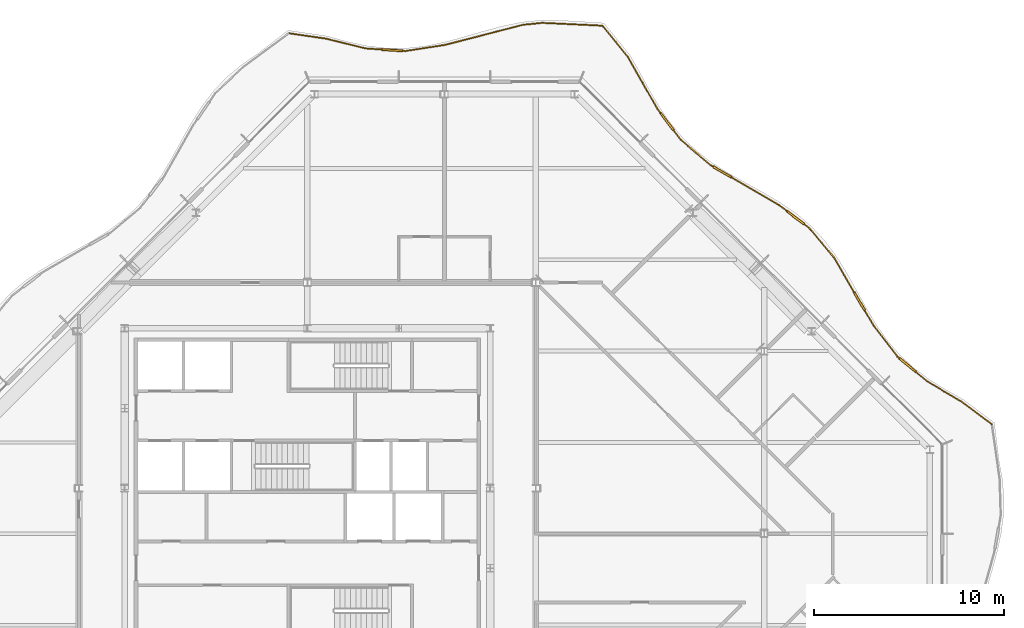
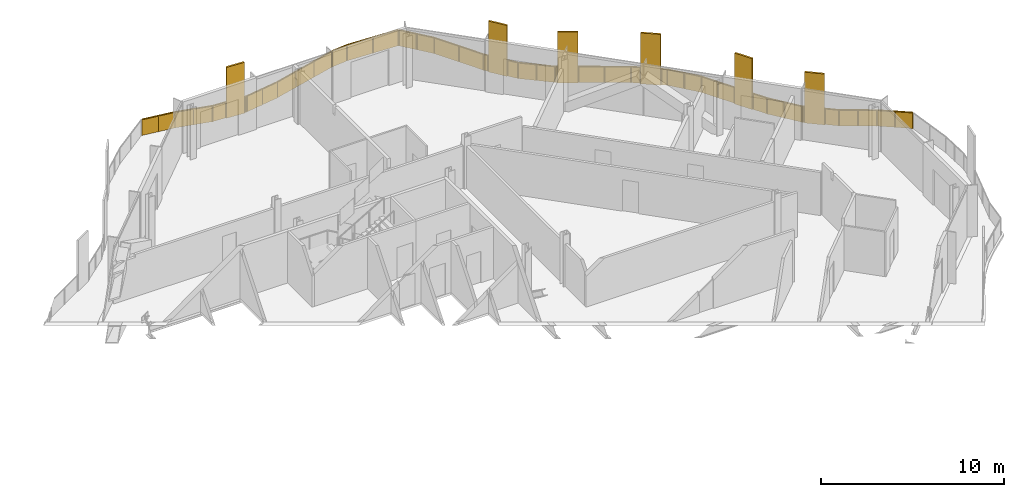
# One storey, part 16 of 16: 2 railings.
"""IFC4 building model written with IfcOpenShell, lengths in metres."""

from ifc_helpers import new_model, si_unit, direction, frame, origin, origin_2d, place, context, subcontext, project, spatial, polyline, rectangle, outline, extrude, material, type_object, element, save


model = new_model("IFC4")

# Units and contexts
model_context = context("Model", 3, precision=1e-05, world=origin(), true_north=direction((0.0, 1.0)))
body_context = subcontext(model_context, "Body", "Model", "MODEL_VIEW")
ifc_project = project(units=[si_unit("LENGTHUNIT", "METRE"), si_unit("AREAUNIT", "SQUARE_METRE"), si_unit("VOLUMEUNIT", "CUBIC_METRE"), si_unit("PLANEANGLEUNIT", "RADIAN"), si_unit("MASSUNIT", "GRAM", prefix="KILO")], contexts=[model_context])

# Site, building, storey
site_placement = place(None, origin())
site = spatial("IfcSite", under=ifc_project, at=site_placement, CompositionType="ELEMENT")
building_placement = place(site_placement, origin())
building = spatial("IfcBuilding", under=site, at=building_placement, Name="Cairn Pilgrim Tower", CompositionType="ELEMENT")
storey_placement = place(building_placement, frame((0.0, 0.0, 288.60009765625)))
storey = spatial("IfcBuildingStorey", under=building, at=storey_placement, Name="L74", CompositionType="ELEMENT", Elevation=288.60009765625)

# Railings
ifc_material = material(Name="Bronze anodised aluminium rail, posts and fin screens with laminated glass infill", Category="aluminium")
railing_type = type_object("IfcRailingType", Name="BALCONY GUARD WITH FIN SCREENS", PredefinedType="GUARDRAIL", material=ifc_material)
railing_1_placement = place(storey_placement, frame((43.155029296875, 5.750732421875, 0.0)))
element("IfcRailing", 1, at=railing_1_placement, inside=storey, type_object=railing_type, Name="Balcony guard BGF-4 with fin screens", PredefinedType="GUARDRAIL", context=body_context, shape_type="SweptSolid", body=[
    extrude(rectangle(XDim=0.050048828125, YDim=0.050048828125, at=origin_2d()), frame((0.0, 0.0, 1.0751953125), z_axis=(-0.800073631677, 0.599901811879, 0.0), x_axis=(-0.599901811879, -0.800073631677, 0.0)), (0.0, 0.0, 1.0), 1.9892578125),
    extrude(rectangle(XDim=0.050048828125, YDim=0.050048828125, at=origin_2d()), frame((-1.591552734375, 1.193359375, 1.0751953125), z_axis=(-0.861064306674, 0.508496076458, 0.0), x_axis=(-0.508496076458, -0.861064306674, 0.0)), (0.0, 0.0, 1.0), 2.080810546875),
    extrude(rectangle(XDim=1.10009765625, YDim=0.110107421875, at=origin_2d()), frame((-4.41943359375, 3.1142578125, 0.0), z_axis=(0.0, 0.0, 1.0), x_axis=(-0.768485018551, 0.639867780298, 0.0)), (0.0, 0.0, 1.0), 3.39990234375),
    extrude(rectangle(XDim=0.050048828125, YDim=0.050048828125, at=origin_2d()), frame((-3.38330078125, 2.25146484375, 1.0751953125), z_axis=(-0.768485018551, 0.639867780298, 0.0), x_axis=(-0.639867780298, -0.768485018551, 0.0)), (0.0, 0.0, 1.0), 0.79833984375),
    extrude(rectangle(XDim=0.050048828125, YDim=0.050048828125, at=origin_2d()), frame((-4.842041015625, 3.466064453125, 1.0751953125), z_axis=(-0.768485018551, 0.639867780298, 0.0), x_axis=(-0.639867780298, -0.768485018551, 0.0)), (0.0, 0.0, 1.0), 0.14990234375),
    extrude(rectangle(XDim=0.050048828125, YDim=0.050048828125, at=origin_2d()), frame((-4.957275390625, 3.56201171875, 1.0751953125), z_axis=(-0.610858799859, 0.791739557326, 0.0), x_axis=(-0.791739557326, -0.610858799859, 0.0)), (0.0, 0.0, 1.0), 2.05419921875),
    extrude(rectangle(XDim=1.10009765625, YDim=0.110107421875, at=origin_2d()), frame((-6.9541015625, 6.462890625, 0.0), z_axis=(0.0, 0.0, 1.0), x_axis=(-0.503155199555, 0.864196068703, 0.0)), (0.0, 0.0, 1.0), 3.39990234375),
    extrude(rectangle(XDim=0.050048828125, YDim=0.050048828125, at=origin_2d()), frame((-6.212158203125, 5.1884765625, 1.0751953125), z_axis=(-0.503155199555, 0.864196068703, 0.0), x_axis=(-0.864196068703, -0.503155199555, 0.0)), (0.0, 0.0, 1.0), 0.924560546875),
    extrude(rectangle(XDim=0.050048828125, YDim=0.050048828125, at=origin_2d()), frame((-7.230712890625, 6.93798828125, 1.0751953125), z_axis=(-0.503155199555, 0.864196068703, 0.0), x_axis=(-0.864196068703, -0.503155199555, 0.0)), (0.0, 0.0, 1.0), 2.1328125),
    extrude(rectangle(XDim=0.050048828125, YDim=0.050048828125, at=origin_2d()), frame((-8.303955078125, 8.78125, 1.0751953125), z_axis=(-0.643678355932, 0.765296134908, 0.0), x_axis=(-0.765296134908, -0.643678355932, 0.0)), (0.0, 0.0, 1.0), 1.9892578125),
    extrude(rectangle(XDim=1.10009765625, YDim=0.110107421875, at=origin_2d()), frame((-10.30859375, 10.857421875, 0.0), z_axis=(0.0, 0.0, 1.0), x_axis=(-0.794423549092, 0.607364161478, 0.0)), (0.0, 0.0, 1.0), 3.39990234375),
    extrude(rectangle(XDim=0.050048828125, YDim=0.050048828125, at=origin_2d()), frame((-9.58447265625, 10.3037109375, 1.0751953125), z_axis=(-0.794423549092, 0.607364161478, 0.0), x_axis=(-0.607364161478, -0.794423549092, 0.0)), (0.0, 0.0, 1.0), 0.361572265625),
    extrude(rectangle(XDim=0.050048828125, YDim=0.050048828125, at=origin_2d()), frame((-10.74560546875, 11.19140625, 1.0751953125), z_axis=(-0.794423549092, 0.607364161478, 0.0), x_axis=(-0.607364161478, -0.794423549092, 0.0)), (0.0, 0.0, 1.0), 0.541748046875),
    extrude(rectangle(XDim=1.10009765625, YDim=0.110107421875, at=origin_2d()), frame((-14.168701171875, 13.2646484375, 0.0), z_axis=(0.0, 0.0, 1.0), x_axis=(-0.863968108447, 0.503546529714, 0.0)), (0.0, 0.0, 1.0), 3.39990234375),
    extrude(rectangle(XDim=0.050048828125, YDim=0.050048828125, at=origin_2d()), frame((-11.176025390625, 11.5205078125, 1.0751953125), z_axis=(-0.863968108447, 0.503546529714, 0.0), x_axis=(-0.503546529714, -0.863968108447, 0.0)), (0.0, 0.0, 1.0), 2.913818359375),
    extrude(rectangle(XDim=0.050048828125, YDim=0.050048828125, at=origin_2d()), frame((-14.643798828125, 13.541748046875, 1.0751953125), z_axis=(-0.863968108447, 0.503546529714, 0.0), x_axis=(-0.503546529714, -0.863968108447, 0.0)), (0.0, 0.0, 1.0), 0.14990234375),
    extrude(rectangle(XDim=0.050048828125, YDim=0.050048828125, at=origin_2d()), frame((-14.7734375, 13.6171875, 1.0751953125), z_axis=(-0.762236360411, 0.647298795663, 0.0), x_axis=(-0.647298795663, -0.762236360411, 0.0)), (0.0, 0.0, 1.0), 2.047607421875),
    extrude(rectangle(XDim=1.10009765625, YDim=0.110107421875, at=origin_2d()), frame((-17.060546875, 15.9013671875, 0.0), z_axis=(0.0, 0.0, 1.0), x_axis=(-0.603848546204, 0.797099073671, 0.0)), (0.0, 0.0, 1.0), 3.39990234375),
    extrude(rectangle(XDim=0.050048828125, YDim=0.050048828125, at=origin_2d()), frame((-16.334228515625, 14.942626953125, 1.0751953125), z_axis=(-0.603848546204, 0.797099073671, 0.0), x_axis=(-0.797099073671, -0.603848546204, 0.0)), (0.0, 0.0, 1.0), 0.65283203125),
    extrude(rectangle(XDim=0.050048828125, YDim=0.050048828125, at=origin_2d()), frame((-17.392578125, 16.33984375, 1.0751953125), z_axis=(-0.603848546204, 0.797099073671, 0.0), x_axis=(-0.797099073671, -0.603848546204, 0.0)), (0.0, 0.0, 1.0), 0.303955078125),
    extrude(rectangle(XDim=0.050048828125, YDim=0.050048828125, at=origin_2d()), frame((-17.576171875, 16.58203125, 1.0751953125), z_axis=(-0.492975153926, 0.87004338835, 0.0), x_axis=(-0.87004338835, -0.492975153926, 0.0)), (0.0, 0.0, 1.0), 3.1279296875),
    extrude(rectangle(XDim=0.050048828125, YDim=0.050048828125, at=origin_2d()), frame((-19.1181640625, 19.303466796875, 1.0751953125), z_axis=(-0.63138447304, 0.775469952483, 0.0), x_axis=(-0.775469952483, -0.63138447304, 0.0)), (0.0, 0.0, 1.0), 2.0537109375),
    extrude(rectangle(XDim=0.050048828125, YDim=0.050048828125, at=origin_2d()), origin(), (0.0, 0.0, 1.0), 1.050048828125),
    extrude(rectangle(XDim=0.050048828125, YDim=0.050048828125, at=origin_2d()), frame((-0.7958984375, 0.5966796875, 0.0)), (0.0, 0.0, 1.0), 1.050048828125),
    extrude(rectangle(XDim=0.050048828125, YDim=0.050048828125, at=origin_2d()), frame((-1.591552734375, 1.193359375, 0.0)), (0.0, 0.0, 1.0), 1.050048828125),
    extrude(rectangle(XDim=0.050048828125, YDim=0.050048828125, at=origin_2d()), frame((-2.4873046875, 1.722412109375, 0.0)), (0.0, 0.0, 1.0), 1.050048828125),
    extrude(rectangle(XDim=0.050048828125, YDim=0.050048828125, at=origin_2d()), frame((-3.38330078125, 2.25146484375, 0.0)), (0.0, 0.0, 1.0), 1.050048828125),
    extrude(rectangle(XDim=0.050048828125, YDim=0.050048828125, at=origin_2d()), frame((-3.9775390625, 2.746337890625, 0.0)), (0.0, 0.0, 1.0), 1.050048828125),
    extrude(rectangle(XDim=0.050048828125, YDim=0.050048828125, at=origin_2d()), frame((-4.861328125, 3.482177734375, 0.0)), (0.0, 0.0, 1.0), 1.050048828125),
    extrude(rectangle(XDim=0.050048828125, YDim=0.050048828125, at=origin_2d()), frame((-4.957275390625, 3.56201171875, 0.0)), (0.0, 0.0, 1.0), 1.050048828125),
    extrude(rectangle(XDim=0.050048828125, YDim=0.050048828125, at=origin_2d()), frame((-5.584716796875, 4.375244140625, 0.0)), (0.0, 0.0, 1.0), 1.050048828125),
    extrude(rectangle(XDim=0.050048828125, YDim=0.050048828125, at=origin_2d()), frame((-6.212158203125, 5.1884765625, 0.0)), (0.0, 0.0, 1.0), 1.050048828125),
    extrude(rectangle(XDim=0.050048828125, YDim=0.050048828125, at=origin_2d()), frame((-6.664794921875, 5.9658203125, 0.0)), (0.0, 0.0, 1.0), 1.050048828125),
    extrude(rectangle(XDim=0.050048828125, YDim=0.050048828125, at=origin_2d()), frame((-7.243408203125, 6.959716796875, 0.0)), (0.0, 0.0, 1.0), 1.050048828125),
    extrude(rectangle(XDim=0.050048828125, YDim=0.050048828125, at=origin_2d()), frame((-7.773681640625, 7.870361328125, 0.0)), (0.0, 0.0, 1.0), 1.050048828125),
    extrude(rectangle(XDim=0.050048828125, YDim=0.050048828125, at=origin_2d()), frame((-8.303955078125, 8.78125, 0.0)), (0.0, 0.0, 1.0), 1.050048828125),
    extrude(rectangle(XDim=0.050048828125, YDim=0.050048828125, at=origin_2d()), frame((-8.9443359375, 9.54248046875, 0.0)), (0.0, 0.0, 1.0), 1.050048828125),
    extrude(rectangle(XDim=0.050048828125, YDim=0.050048828125, at=origin_2d()), frame((-9.58447265625, 10.3037109375, 0.0)), (0.0, 0.0, 1.0), 1.050048828125),
    extrude(rectangle(XDim=0.050048828125, YDim=0.050048828125, at=origin_2d()), frame((-9.851806640625, 10.508056640625, 0.0)), (0.0, 0.0, 1.0), 1.050048828125),
    extrude(rectangle(XDim=0.050048828125, YDim=0.050048828125, at=origin_2d()), frame((-10.765380859375, 11.20654296875, 0.0)), (0.0, 0.0, 1.0), 1.050048828125),
    extrude(rectangle(XDim=0.050048828125, YDim=0.050048828125, at=origin_2d()), frame((-11.176025390625, 11.5205078125, 0.0)), (0.0, 0.0, 1.0), 1.050048828125),
    extrude(rectangle(XDim=0.050048828125, YDim=0.050048828125, at=origin_2d()), frame((-12.424072265625, 12.247802734375, 0.0)), (0.0, 0.0, 1.0), 1.050048828125),
    extrude(rectangle(XDim=0.050048828125, YDim=0.050048828125, at=origin_2d()), frame((-13.671875, 12.97509765625, 0.0)), (0.0, 0.0, 1.0), 1.050048828125),
    extrude(rectangle(XDim=0.050048828125, YDim=0.050048828125, at=origin_2d()), frame((-14.66552734375, 13.55419921875, 0.0)), (0.0, 0.0, 1.0), 1.050048828125),
    extrude(rectangle(XDim=0.050048828125, YDim=0.050048828125, at=origin_2d()), frame((-14.7734375, 13.6171875, 0.0)), (0.0, 0.0, 1.0), 1.050048828125),
    extrude(rectangle(XDim=0.050048828125, YDim=0.050048828125, at=origin_2d()), frame((-15.5537109375, 14.27978515625, 0.0)), (0.0, 0.0, 1.0), 1.050048828125),
    extrude(rectangle(XDim=0.050048828125, YDim=0.050048828125, at=origin_2d()), frame((-16.334228515625, 14.942626953125, 0.0)), (0.0, 0.0, 1.0), 1.050048828125),
    extrude(rectangle(XDim=0.050048828125, YDim=0.050048828125, at=origin_2d()), frame((-16.71337890625, 15.44287109375, 0.0)), (0.0, 0.0, 1.0), 1.050048828125),
    extrude(rectangle(XDim=0.050048828125, YDim=0.050048828125, at=origin_2d()), frame((-17.40771484375, 16.359619140625, 0.0)), (0.0, 0.0, 1.0), 1.050048828125),
    extrude(rectangle(XDim=0.050048828125, YDim=0.050048828125, at=origin_2d()), frame((-17.576171875, 16.58203125, 0.0)), (0.0, 0.0, 1.0), 1.050048828125),
    extrude(rectangle(XDim=0.050048828125, YDim=0.050048828125, at=origin_2d()), frame((-18.34716796875, 17.94287109375, 0.0)), (0.0, 0.0, 1.0), 1.050048828125),
    extrude(rectangle(XDim=0.050048828125, YDim=0.050048828125, at=origin_2d()), frame((-19.1181640625, 19.303466796875, 0.0)), (0.0, 0.0, 1.0), 1.050048828125),
    extrude(rectangle(XDim=0.050048828125, YDim=0.050048828125, at=origin_2d()), frame((-19.7666015625, 20.099609375, 0.0)), (0.0, 0.0, 1.0), 1.050048828125),
    extrude(rectangle(XDim=0.050048828125, YDim=0.050048828125, at=origin_2d()), frame((-20.414794921875, 20.89599609375, 0.0)), (0.0, 0.0, 1.0), 1.050048828125),
    extrude(outline(polyline([(0.02490234375, 0.0), (0.9697265625, 0.0), (0.9697265625, 1.050048828125), (0.02490234375, 1.050048828125), (0.02490234375, 0.0)])), frame((-0.003662109375, -0.0048828125, 0.0), z_axis=(0.599901811879, 0.800073631677, 0.0), x_axis=(-0.800073631677, 0.599901811879, 0.0)), (0.0, 0.0, 1.0), 0.011962890625),
    extrude(outline(polyline([(0.02490234375, 0.0), (0.9697265625, 0.0), (0.9697265625, 1.050048828125), (0.02490234375, 1.050048828125), (0.02490234375, 0.0)])), frame((-0.79931640625, 0.591796875, 0.0), z_axis=(0.599901811879, 0.800073631677, 0.0), x_axis=(-0.800073631677, 0.599901811879, 0.0)), (0.0, 0.0, 1.0), 0.011962890625),
    extrude(outline(polyline([(0.02490234375, 0.0), (1.015380859375, 0.0), (1.015380859375, 1.050048828125), (0.02490234375, 1.050048828125), (0.02490234375, 0.0)])), frame((-1.594482421875, 1.188232421875, 0.0), z_axis=(0.508496076458, 0.861064306674, 0.0), x_axis=(-0.861064306674, 0.508496076458, 0.0)), (0.0, 0.0, 1.0), 0.011962890625),
    extrude(outline(polyline([(0.02490234375, 0.0), (1.015380859375, 0.0), (1.015380859375, 1.050048828125), (0.02490234375, 1.050048828125), (0.02490234375, 0.0)])), frame((-2.490478515625, 1.71728515625, 0.0), z_axis=(0.508496076458, 0.861064306674, 0.0), x_axis=(-0.861064306674, 0.508496076458, 0.0)), (0.0, 0.0, 1.0), 0.011962890625),
    extrude(outline(polyline([(0.02490234375, 0.0), (0.748291015625, 0.0), (0.748291015625, 1.050048828125), (0.02490234375, 1.050048828125), (0.02490234375, 0.0)])), frame((-3.38720703125, 2.246826171875, 0.0), z_axis=(0.639867780298, 0.768485018551, 0.0), x_axis=(-0.768485018551, 0.639867780298, 0.0)), (0.0, 0.0, 1.0), 0.011962890625),
    extrude(outline(polyline([(0.02490234375, 0.0), (0.099853515625, 0.0), (0.099853515625, 1.050048828125), (0.02490234375, 1.050048828125), (0.02490234375, 0.0)])), frame((-4.865234375, 3.4775390625, 0.0), z_axis=(0.639867780298, 0.768485018551, 0.0), x_axis=(-0.768485018551, 0.639867780298, 0.0)), (0.0, 0.0, 1.0), 0.011962890625),
    extrude(outline(polyline([(0.02490234375, 0.0), (1.002197265625, 0.0), (1.002197265625, 1.050048828125), (0.02490234375, 1.050048828125), (0.02490234375, 0.0)])), frame((-4.9619140625, 3.558349609375, 0.0), z_axis=(0.791739557326, 0.610858799859, 0.0), x_axis=(-0.610858799859, 0.791739557326, 0.0)), (0.0, 0.0, 1.0), 0.011962890625),
    extrude(outline(polyline([(0.02490234375, 0.0), (1.002197265625, 0.0), (1.002197265625, 1.050048828125), (0.02490234375, 1.050048828125), (0.02490234375, 0.0)])), frame((-5.58935546875, 4.37158203125, 0.0), z_axis=(0.791739557326, 0.610858799859, 0.0), x_axis=(-0.610858799859, 0.791739557326, 0.0)), (0.0, 0.0, 1.0), 0.011962890625),
    extrude(outline(polyline([(0.02490234375, 0.0), (0.87451171875, 0.0), (0.87451171875, 1.050048828125), (0.02490234375, 1.050048828125), (0.02490234375, 0.0)])), frame((-6.21728515625, 5.185546875, 0.0), z_axis=(0.864196068703, 0.503155199555, 0.0), x_axis=(-0.503155199555, 0.864196068703, 0.0)), (0.0, 0.0, 1.0), 0.011962890625),
    extrude(outline(polyline([(0.02490234375, 0.0), (1.02880859375, 0.0), (1.02880859375, 1.050048828125), (0.02490234375, 1.050048828125), (0.02490234375, 0.0)])), frame((-7.24853515625, 6.956787109375, 0.0), z_axis=(0.864196068703, 0.503155199555, 0.0), x_axis=(-0.503155199555, 0.864196068703, 0.0)), (0.0, 0.0, 1.0), 0.011962890625),
    extrude(outline(polyline([(0.02490234375, 0.0), (1.02880859375, 0.0), (1.02880859375, 1.050048828125), (0.02490234375, 1.050048828125), (0.02490234375, 0.0)])), frame((-7.77880859375, 7.867431640625, 0.0), z_axis=(0.864196068703, 0.503155199555, 0.0), x_axis=(-0.503155199555, 0.864196068703, 0.0)), (0.0, 0.0, 1.0), 0.011962890625),
    extrude(outline(polyline([(0.02490234375, 0.0), (0.9697265625, 0.0), (0.9697265625, 1.050048828125), (0.02490234375, 1.050048828125), (0.02490234375, 0.0)])), frame((-8.30859375, 8.77734375, 0.0), z_axis=(0.765296134908, 0.643678355932, 0.0), x_axis=(-0.643678355932, 0.765296134908, 0.0)), (0.0, 0.0, 1.0), 0.011962890625),
    extrude(outline(polyline([(0.02490234375, 0.0), (0.9697265625, 0.0), (0.9697265625, 1.050048828125), (0.02490234375, 1.050048828125), (0.02490234375, 0.0)])), frame((-8.94873046875, 9.53857421875, 0.0), z_axis=(0.765296134908, 0.643678355932, 0.0), x_axis=(-0.643678355932, 0.765296134908, 0.0)), (0.0, 0.0, 1.0), 0.011962890625),
    extrude(outline(polyline([(0.02490234375, 0.0), (0.3115234375, 0.0), (0.3115234375, 1.050048828125), (0.02490234375, 1.050048828125), (0.02490234375, 0.0)])), frame((-9.588134765625, 10.299072265625, 0.0), z_axis=(0.607364161478, 0.794423549092, 0.0), x_axis=(-0.794423549092, 0.607364161478, 0.0)), (0.0, 0.0, 1.0), 0.011962890625),
    extrude(outline(polyline([(0.02490234375, 0.0), (0.49169921875, 0.0), (0.49169921875, 1.050048828125), (0.02490234375, 1.050048828125), (0.02490234375, 0.0)])), frame((-10.76904296875, 11.201904296875, 0.0), z_axis=(0.607364161478, 0.794423549092, 0.0), x_axis=(-0.794423549092, 0.607364161478, 0.0)), (0.0, 0.0, 1.0), 0.011962890625),
    extrude(outline(polyline([(0.02490234375, 0.0), (1.41943359375, 0.0), (1.41943359375, 1.050048828125), (0.02490234375, 1.050048828125), (0.02490234375, 0.0)])), frame((-11.178955078125, 11.515380859375, 0.0), z_axis=(0.503546529714, 0.863968108447, 0.0), x_axis=(-0.863968108447, 0.503546529714, 0.0)), (0.0, 0.0, 1.0), 0.011962890625),
    extrude(outline(polyline([(0.02490234375, 0.0), (1.41943359375, 0.0), (1.41943359375, 1.050048828125), (0.02490234375, 1.050048828125), (0.02490234375, 0.0)])), frame((-12.427001953125, 12.24267578125, 0.0), z_axis=(0.503546529714, 0.863968108447, 0.0), x_axis=(-0.863968108447, 0.503546529714, 0.0)), (0.0, 0.0, 1.0), 0.011962890625),
    extrude(outline(polyline([(0.02490234375, 0.0), (0.099853515625, 0.0), (0.099853515625, 1.050048828125), (0.02490234375, 1.050048828125), (0.02490234375, 0.0)])), frame((-14.66845703125, 13.549072265625, 0.0), z_axis=(0.503546529714, 0.863968108447, 0.0), x_axis=(-0.863968108447, 0.503546529714, 0.0)), (0.0, 0.0, 1.0), 0.011962890625),
    extrude(outline(polyline([(0.02490234375, 0.0), (0.998779296875, 0.0), (0.998779296875, 1.050048828125), (0.02490234375, 1.050048828125), (0.02490234375, 0.0)])), frame((-14.77734375, 13.612548828125, 0.0), z_axis=(0.647298795663, 0.762236360411, 0.0), x_axis=(-0.762236360411, 0.647298795663, 0.0)), (0.0, 0.0, 1.0), 0.011962890625),
    extrude(outline(polyline([(0.02490234375, 0.0), (0.998779296875, 0.0), (0.998779296875, 1.050048828125), (0.02490234375, 1.050048828125), (0.02490234375, 0.0)])), frame((-15.5576171875, 14.275390625, 0.0), z_axis=(0.647298795663, 0.762236360411, 0.0), x_axis=(-0.762236360411, 0.647298795663, 0.0)), (0.0, 0.0, 1.0), 0.011962890625),
    extrude(outline(polyline([(0.02490234375, 0.0), (0.602783203125, 0.0), (0.602783203125, 1.050048828125), (0.02490234375, 1.050048828125), (0.02490234375, 0.0)])), frame((-16.339111328125, 14.93896484375, 0.0), z_axis=(0.797099073671, 0.603848546204, 0.0), x_axis=(-0.603848546204, 0.797099073671, 0.0)), (0.0, 0.0, 1.0), 0.011962890625),
    extrude(outline(polyline([(0.02490234375, 0.0), (0.25390625, 0.0), (0.25390625, 1.050048828125), (0.02490234375, 1.050048828125), (0.02490234375, 0.0)])), frame((-17.41259765625, 16.35595703125, 0.0), z_axis=(0.797099073671, 0.603848546204, 0.0), x_axis=(-0.603848546204, 0.797099073671, 0.0)), (0.0, 0.0, 1.0), 0.011962890625),
    extrude(outline(polyline([(0.02490234375, 0.0), (1.5390625, 0.0), (1.5390625, 1.050048828125), (0.02490234375, 1.050048828125), (0.02490234375, 0.0)])), frame((-17.581298828125, 16.5791015625, 0.0), z_axis=(0.87004338835, 0.492975153926, 0.0), x_axis=(-0.492975153926, 0.87004338835, 0.0)), (0.0, 0.0, 1.0), 0.011962890625),
    extrude(outline(polyline([(0.02490234375, 0.0), (1.5390625, 0.0), (1.5390625, 1.050048828125), (0.02490234375, 1.050048828125), (0.02490234375, 0.0)])), frame((-18.352294921875, 17.939697265625, 0.0), z_axis=(0.87004338835, 0.492975153926, 0.0), x_axis=(-0.492975153926, 0.87004338835, 0.0)), (0.0, 0.0, 1.0), 0.011962890625),
    extrude(outline(polyline([(0.02490234375, 0.0), (1.001708984375, 0.0), (1.001708984375, 1.050048828125), (0.02490234375, 1.050048828125), (0.02490234375, 0.0)])), frame((-19.122802734375, 19.2998046875, 0.0), z_axis=(0.775469952483, 0.63138447304, 0.0), x_axis=(-0.63138447304, 0.775469952483, 0.0)), (0.0, 0.0, 1.0), 0.011962890625),
    extrude(outline(polyline([(0.02490234375, 0.0), (1.001708984375, 0.0), (1.001708984375, 1.050048828125), (0.02490234375, 1.050048828125), (0.02490234375, 0.0)])), frame((-19.77099609375, 20.095947265625, 0.0), z_axis=(0.775469952483, 0.63138447304, 0.0), x_axis=(-0.63138447304, 0.775469952483, 0.0)), (0.0, 0.0, 1.0), 0.011962890625),
])
railing_2_placement = place(storey_placement, frame((22.702392578125, 26.693359375, 0.0)))
element("IfcRailing", 2, at=railing_2_placement, inside=storey, type_object=railing_type, Name="Balcony guard BGF-5 with fin screens", PredefinedType="GUARDRAIL", context=body_context, shape_type="SweptSolid", body=[
    extrude(rectangle(XDim=0.050048828125, YDim=0.050048828125, at=origin_2d()), frame((0.0, 0.0, 1.0751953125), z_axis=(-0.998891963674, 0.047062138781, 0.0), x_axis=(-0.047062138781, -0.998891963674, 0.0)), (0.0, 0.0, 1.0), 3.1591796875),
    extrude(rectangle(XDim=0.050048828125, YDim=0.050048828125, at=origin_2d()), frame((-3.15576171875, 0.148681640625, 1.0751953125), z_axis=(-0.995158380871, -0.098284266201, 0.0), x_axis=(0.098284266201, -0.995158380871, 0.0)), (0.0, 0.0, 1.0), 1.010986328125),
    extrude(rectangle(XDim=0.050048828125, YDim=0.050048828125, at=origin_2d()), frame((-4.161865234375, 0.04931640625, 1.0751953125), z_axis=(-0.968437409465, -0.249256863393, 0.0), x_axis=(0.249256863393, -0.968437409465, 0.0)), (0.0, 0.0, 1.0), 4.244140625),
    extrude(rectangle(XDim=0.050048828125, YDim=0.050048828125, at=origin_2d()), frame((-8.27197265625, -1.008544921875, 1.0751953125), z_axis=(-0.988060059223, -0.15406920318, 0.0), x_axis=(0.15406920318, -0.988060059223, 0.0)), (0.0, 0.0, 1.0), 2.10595703125),
    extrude(rectangle(XDim=1.10009765625, YDim=0.110107421875, at=origin_2d()), frame((-11.05126953125, -1.286865234375, 0.0), z_axis=(0.0, 0.0, 1.0), x_axis=(-0.997830378321, 0.06583719389, 0.0)), (0.0, 0.0, 1.0), 3.39990234375),
    extrude(rectangle(XDim=0.050048828125, YDim=0.050048828125, at=origin_2d()), frame((-10.352783203125, -1.3330078125, 1.0751953125), z_axis=(-0.997830378321, 0.06583719389, 0.0), x_axis=(-0.06583719389, -0.997830378321, 0.0)), (0.0, 0.0, 1.0), 0.14990234375),
    extrude(rectangle(XDim=0.050048828125, YDim=0.050048828125, at=origin_2d()), frame((-11.60009765625, -1.250732421875, 1.0751953125), z_axis=(-0.997830378321, 0.06583719389, 0.0), x_axis=(-0.06583719389, -0.997830378321, 0.0)), (0.0, 0.0, 1.0), 0.84130859375),
    extrude(rectangle(XDim=0.050048828125, YDim=0.050048828125, at=origin_2d()), frame((-12.439697265625, -1.1953125, 1.0751953125), z_axis=(-0.970801176953, 0.239885545264, 0.0), x_axis=(-0.239885545264, -0.970801176953, 0.0)), (0.0, 0.0, 1.0), 2.125),
    extrude(rectangle(XDim=0.050048828125, YDim=0.050048828125, at=origin_2d()), frame((-14.502685546875, -0.685546875, 1.0751953125), z_axis=(-0.989416119923, 0.145105966919, 0.0), x_axis=(-0.145105966919, -0.989416119923, 0.0)), (0.0, 0.0, 1.0), 1.938232421875),
    extrude(rectangle(XDim=0.050048828125, YDim=0.050048828125, at=origin_2d()), origin(), (0.0, 0.0, 1.0), 1.050048828125),
    extrude(rectangle(XDim=0.050048828125, YDim=0.050048828125, at=origin_2d()), frame((-1.577880859375, 0.07421875, 0.0)), (0.0, 0.0, 1.0), 1.050048828125),
    extrude(rectangle(XDim=0.050048828125, YDim=0.050048828125, at=origin_2d()), frame((-3.15576171875, 0.148681640625, 0.0)), (0.0, 0.0, 1.0), 1.050048828125),
    extrude(rectangle(XDim=0.050048828125, YDim=0.050048828125, at=origin_2d()), frame((-4.161865234375, 0.04931640625, 0.0)), (0.0, 0.0, 1.0), 1.050048828125),
    extrude(rectangle(XDim=0.050048828125, YDim=0.050048828125, at=origin_2d()), frame((-5.531982421875, -0.30322265625, 0.0)), (0.0, 0.0, 1.0), 1.050048828125),
    extrude(rectangle(XDim=0.050048828125, YDim=0.050048828125, at=origin_2d()), frame((-6.90185546875, -0.656005859375, 0.0)), (0.0, 0.0, 1.0), 1.050048828125),
    extrude(rectangle(XDim=0.050048828125, YDim=0.050048828125, at=origin_2d()), frame((-8.27197265625, -1.008544921875, 0.0)), (0.0, 0.0, 1.0), 1.050048828125),
    extrude(rectangle(XDim=0.050048828125, YDim=0.050048828125, at=origin_2d()), frame((-9.3125, -1.1708984375, 0.0)), (0.0, 0.0, 1.0), 1.050048828125),
    extrude(rectangle(XDim=0.050048828125, YDim=0.050048828125, at=origin_2d()), frame((-10.352783203125, -1.3330078125, 0.0)), (0.0, 0.0, 1.0), 1.050048828125),
    extrude(rectangle(XDim=0.050048828125, YDim=0.050048828125, at=origin_2d()), frame((-10.4775390625, -1.32470703125, 0.0)), (0.0, 0.0, 1.0), 1.050048828125),
    extrude(rectangle(XDim=0.050048828125, YDim=0.050048828125, at=origin_2d()), frame((-11.625, -1.2490234375, 0.0)), (0.0, 0.0, 1.0), 1.050048828125),
    extrude(rectangle(XDim=0.050048828125, YDim=0.050048828125, at=origin_2d()), frame((-12.439697265625, -1.1953125, 0.0)), (0.0, 0.0, 1.0), 1.050048828125),
    extrude(rectangle(XDim=0.050048828125, YDim=0.050048828125, at=origin_2d()), frame((-13.47119140625, -0.9404296875, 0.0)), (0.0, 0.0, 1.0), 1.050048828125),
    extrude(rectangle(XDim=0.050048828125, YDim=0.050048828125, at=origin_2d()), frame((-14.502685546875, -0.685546875, 0.0)), (0.0, 0.0, 1.0), 1.050048828125),
    extrude(rectangle(XDim=0.050048828125, YDim=0.050048828125, at=origin_2d()), frame((-15.46142578125, -0.544921875, 0.0)), (0.0, 0.0, 1.0), 1.050048828125),
    extrude(rectangle(XDim=0.050048828125, YDim=0.050048828125, at=origin_2d()), frame((-16.42041015625, -0.404296875, 0.0)), (0.0, 0.0, 1.0), 1.050048828125),
    extrude(outline(polyline([(0.02490234375, 0.0), (1.5546875, 0.0), (1.5546875, 1.050048828125), (0.02490234375, 1.050048828125), (0.02490234375, 0.0)])), frame((-0.000244140625, -0.005859375, 0.0), z_axis=(0.047062138781, 0.998891963674, 0.0), x_axis=(-0.998891963674, 0.047062138781, 0.0)), (0.0, 0.0, 1.0), 0.011962890625),
    extrude(outline(polyline([(0.02490234375, 0.0), (1.5546875, 0.0), (1.5546875, 1.050048828125), (0.02490234375, 1.050048828125), (0.02490234375, 0.0)])), frame((-1.578125, 0.068359375, 0.0), z_axis=(0.047062138781, 0.998891963674, 0.0), x_axis=(-0.998891963674, 0.047062138781, 0.0)), (0.0, 0.0, 1.0), 0.011962890625),
    extrude(outline(polyline([(0.02490234375, 0.0), (0.986083984375, 0.0), (0.986083984375, 1.050048828125), (0.02490234375, 1.050048828125), (0.02490234375, 0.0)])), frame((-3.1552734375, 0.142822265625, 0.0), z_axis=(-0.098284266201, 0.995158380871, 0.0), x_axis=(-0.995158380871, -0.098284266201, 0.0)), (0.0, 0.0, 1.0), 0.011962890625),
    extrude(outline(polyline([(0.02490234375, 0.0), (1.3896484375, 0.0), (1.3896484375, 1.050048828125), (0.02490234375, 1.050048828125), (0.02490234375, 0.0)])), frame((-4.160400390625, 0.04345703125, 0.0), z_axis=(-0.249256863393, 0.968437409465, 0.0), x_axis=(-0.968437409465, -0.249256863393, 0.0)), (0.0, 0.0, 1.0), 0.011962890625),
    extrude(outline(polyline([(0.02490234375, 0.0), (1.3896484375, 0.0), (1.3896484375, 1.050048828125), (0.02490234375, 1.050048828125), (0.02490234375, 0.0)])), frame((-5.530517578125, -0.30908203125, 0.0), z_axis=(-0.249256863393, 0.968437409465, 0.0), x_axis=(-0.968437409465, -0.249256863393, 0.0)), (0.0, 0.0, 1.0), 0.011962890625),
    extrude(outline(polyline([(0.02490234375, 0.0), (1.3896484375, 0.0), (1.3896484375, 1.050048828125), (0.02490234375, 1.050048828125), (0.02490234375, 0.0)])), frame((-6.900390625, -0.66162109375, 0.0), z_axis=(-0.249256863393, 0.968437409465, 0.0), x_axis=(-0.968437409465, -0.249256863393, 0.0)), (0.0, 0.0, 1.0), 0.011962890625),
    extrude(outline(polyline([(0.02490234375, 0.0), (1.02783203125, 0.0), (1.02783203125, 1.050048828125), (0.02490234375, 1.050048828125), (0.02490234375, 0.0)])), frame((-8.27099609375, -1.014404296875, 0.0), z_axis=(-0.15406920318, 0.988060059223, 0.0), x_axis=(-0.988060059223, -0.15406920318, 0.0)), (0.0, 0.0, 1.0), 0.011962890625),
    extrude(outline(polyline([(0.02490234375, 0.0), (1.02783203125, 0.0), (1.02783203125, 1.050048828125), (0.02490234375, 1.050048828125), (0.02490234375, 0.0)])), frame((-9.3115234375, -1.1767578125, 0.0), z_axis=(-0.15406920318, 0.988060059223, 0.0), x_axis=(-0.988060059223, -0.15406920318, 0.0)), (0.0, 0.0, 1.0), 0.011962890625),
    extrude(outline(polyline([(0.02490234375, 0.0), (0.099853515625, 0.0), (0.099853515625, 1.050048828125), (0.02490234375, 1.050048828125), (0.02490234375, 0.0)])), frame((-10.353271484375, -1.3388671875, 0.0), z_axis=(0.06583719389, 0.997830378321, 0.0), x_axis=(-0.997830378321, 0.06583719389, 0.0)), (0.0, 0.0, 1.0), 0.011962890625),
    extrude(outline(polyline([(0.02490234375, 0.0), (0.791259765625, 0.0), (0.791259765625, 1.050048828125), (0.02490234375, 1.050048828125), (0.02490234375, 0.0)])), frame((-11.62548828125, -1.255126953125, 0.0), z_axis=(0.06583719389, 0.997830378321, 0.0), x_axis=(-0.997830378321, 0.06583719389, 0.0)), (0.0, 0.0, 1.0), 0.011962890625),
    extrude(outline(polyline([(0.02490234375, 0.0), (1.03759765625, 0.0), (1.03759765625, 1.050048828125), (0.02490234375, 1.050048828125), (0.02490234375, 0.0)])), frame((-12.441162109375, -1.201171875, 0.0), z_axis=(0.239885545264, 0.970801176953, 0.0), x_axis=(-0.970801176953, 0.239885545264, 0.0)), (0.0, 0.0, 1.0), 0.011962890625),
    extrude(outline(polyline([(0.02490234375, 0.0), (1.03759765625, 0.0), (1.03759765625, 1.050048828125), (0.02490234375, 1.050048828125), (0.02490234375, 0.0)])), frame((-13.47265625, -0.9462890625, 0.0), z_axis=(0.239885545264, 0.970801176953, 0.0), x_axis=(-0.970801176953, 0.239885545264, 0.0)), (0.0, 0.0, 1.0), 0.011962890625),
    extrude(outline(polyline([(0.02490234375, 0.0), (0.944091796875, 0.0), (0.944091796875, 1.050048828125), (0.02490234375, 1.050048828125), (0.02490234375, 0.0)])), frame((-14.503662109375, -0.69140625, 0.0), z_axis=(0.145105966919, 0.989416119923, 0.0), x_axis=(-0.989416119923, 0.145105966919, 0.0)), (0.0, 0.0, 1.0), 0.011962890625),
    extrude(outline(polyline([(0.02490234375, 0.0), (0.944091796875, 0.0), (0.944091796875, 1.050048828125), (0.02490234375, 1.050048828125), (0.02490234375, 0.0)])), frame((-15.46240234375, -0.55078125, 0.0), z_axis=(0.145105966919, 0.989416119923, 0.0), x_axis=(-0.989416119923, 0.145105966919, 0.0)), (0.0, 0.0, 1.0), 0.011962890625),
])

save(model, "model.ifc")
